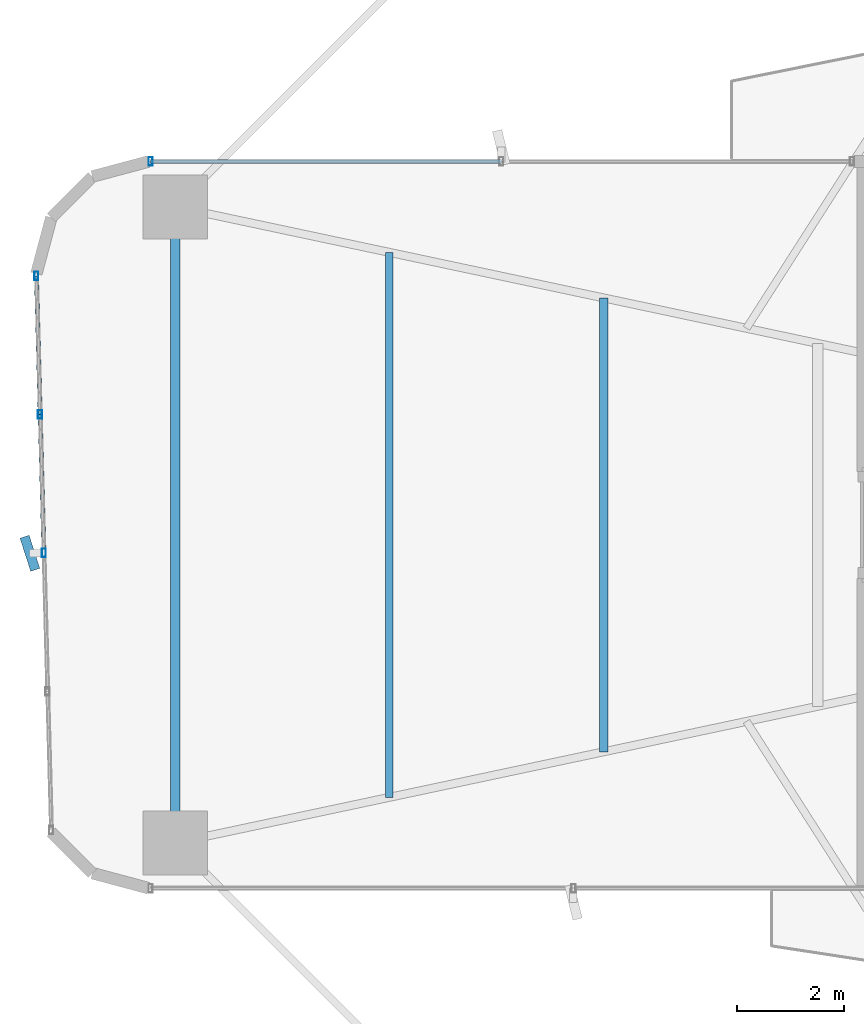
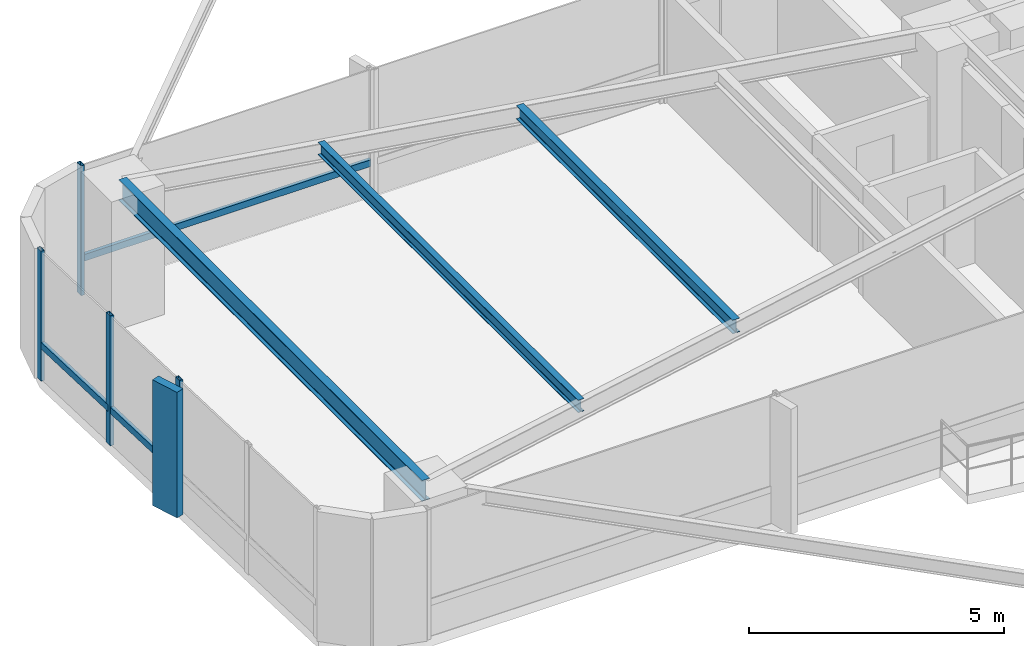
# One storey, part 8 of 25: 8 members, 3 beams, 2 elements without a shape of their own.
"""IFC4 building model written with IfcOpenShell, lengths in metres."""

from ifc_helpers import new_model, si_unit, direction, frame, origin, origin_2d, place, context, subcontext, project, spatial, rectangle, hollow_rectangle, i_section, extrude, source, transform, mapped, material, material_profile, profile_set, type_object, element, aggregate, save


model = new_model("IFC4")

# Units and contexts
model_context = context("Model", 3, precision=1e-05, world=origin(), true_north=direction((0.0, 1.0)))
body_context = subcontext(model_context, "Body", "Model", "MODEL_VIEW")
ifc_project = project(units=[si_unit("LENGTHUNIT", "METRE"), si_unit("AREAUNIT", "SQUARE_METRE"), si_unit("VOLUMEUNIT", "CUBIC_METRE"), si_unit("PLANEANGLEUNIT", "RADIAN"), si_unit("MASSUNIT", "GRAM", prefix="KILO")], contexts=[model_context])

# Site, building, storey
site_placement = place(None, origin())
site = spatial("IfcSite", under=ifc_project, at=site_placement, CompositionType="ELEMENT")
building_placement = place(site_placement, origin())
building = spatial("IfcBuilding", under=site, at=building_placement, Name="Sahyath Konkavel Grand Hotel", CompositionType="ELEMENT")
storey_placement = place(building_placement, frame((0.0, 0.0, 39.85009765625)))
storey = spatial("IfcBuildingStorey", under=building, at=storey_placement, Name="L10", CompositionType="ELEMENT", Elevation=39.85009765625)

# Beams
ifc_material_1 = material(Name="Steel E350", Category="steel")
ifc_material_profile_1 = material_profile(ifc_material_1, i_section(OverallWidth=0.179931640625, OverallDepth=0.5, WebThickness=0.01025390625, FlangeThickness=0.01708984375, FilletRadius=0.01708984375, at=origin_2d()), Name="ISMB 500")
ifc_profile_set_1 = profile_set([ifc_material_profile_1], Name="Steel E350")
beam_type_1 = type_object("IfcBeamType", Name="BM-ISMB500", PredefinedType="BEAM", material=ifc_profile_set_1)
shared_shape_1 = source(origin(), body_context, "Body", "SweptSolid", [
    extrude(i_section(OverallWidth=0.179931640625, OverallDepth=0.5, WebThickness=0.01025390625, FlangeThickness=0.01708984375, FilletRadius=0.01708984375, at=origin_2d()), origin(), (0.0, 0.0, 1.0), 11.89990234375),
])
beam_1_placement = place(storey_placement, frame((-22.199951171875, 5.949951171875, 2.85986328125), z_axis=(0.0, -1.0, 0.0), x_axis=(1.0, 0.0, 0.0)))
element("IfcBeam", 1, at=beam_1_placement, inside=storey, type_object=beam_type_1, Name="L10 Wing Tip Edge Beam W", PredefinedType="BEAM", context=body_context, shape_type="MappedRepresentation", body=[
    mapped(shared_shape_1, transform((0.0, 0.0, 0.0), scale=1.0)),
])
ifc_material_profile_2 = material_profile(ifc_material_1, i_section(OverallWidth=0.1650390625, OverallDepth=0.324951171875, WebThickness=0.007080078125, FlangeThickness=0.009765625, FilletRadius=0.014892578125, at=origin_2d()), Name="ISLB 325")
ifc_profile_set_2 = profile_set([ifc_material_profile_2], Name="Steel E350")
beam_type_2 = type_object("IfcBeamType", Name="BM-ISLB325", PredefinedType="BEAM", material=ifc_profile_set_2)
shared_shape_2 = source(origin(), body_context, "Body", "SweptSolid", [
    extrude(i_section(OverallWidth=0.1650390625, OverallDepth=0.324951171875, WebThickness=0.007080078125, FlangeThickness=0.009765625, FilletRadius=0.014892578125, at=origin_2d()), origin(), (0.0, 0.0, 1.0), 8.4921875),
])
beam_2_placement = place(storey_placement, frame((-14.18408203125, 4.24609375, 2.947509765625), z_axis=(0.0, -1.0, 0.0), x_axis=(1.0, 0.0, 0.0)))
element("IfcBeam", 2, at=beam_2_placement, inside=storey, type_object=beam_type_2, Name="L10 Secondary Floor Beam W-2", PredefinedType="BEAM", context=body_context, shape_type="MappedRepresentation", body=[
    mapped(shared_shape_2, transform((0.0, 0.0, 0.0), scale=1.0)),
])
ifc_material_profile_3 = material_profile(ifc_material_1, i_section(OverallWidth=0.139892578125, OverallDepth=0.300048828125, WebThickness=0.0078125, FlangeThickness=0.01318359375, FilletRadius=0.013916015625, at=origin_2d()), Name="ISMB 300")
ifc_profile_set_3 = profile_set([ifc_material_profile_3], Name="Steel E350")
beam_type_3 = type_object("IfcBeamType", Name="BM-ISMB300", PredefinedType="BEAM", material=ifc_profile_set_3)
shared_shape_3 = source(origin(), body_context, "Body", "SweptSolid", [
    extrude(i_section(OverallWidth=0.139892578125, OverallDepth=0.300048828125, WebThickness=0.0078125, FlangeThickness=0.01318359375, FilletRadius=0.013916015625, at=origin_2d()), origin(), (0.0, 0.0, 1.0), 10.19580078125),
])
beam_3_placement = place(storey_placement, frame((-18.19189453125, 5.097900390625, 2.9599609375), z_axis=(0.0, -1.0, 0.0), x_axis=(1.0, 0.0, 0.0)))
element("IfcBeam", 3, at=beam_3_placement, inside=storey, type_object=beam_type_3, Name="L10 Secondary Floor Beam W-3", PredefinedType="BEAM", context=body_context, shape_type="MappedRepresentation", body=[
    mapped(shared_shape_3, transform((0.0, 0.0, 0.0), scale=1.0)),
])

# Curtain wall, member
ifc_material_2 = material(Name="Anodised Bronze Aluminium & Low-E Glazing", Category="aluminium")
curtain_wall_type = type_object("IfcCurtainWallType", Name="CW-ZONE1", PredefinedType="NOTDEFINED", material=ifc_material_2)
curtain_wall_1_placement = place(storey_placement, origin())
curtain_wall_1 = element("IfcCurtainWall", 4, at=curtain_wall_1_placement, inside=storey, type_object=curtain_wall_type, Name="L10 Unitised Curtain Wall F16", PredefinedType="NOTDEFINED")
ifc_material_3 = material(Name="Anodised Bronze Aluminium", Category="aluminium")
ifc_material_profile_4 = material_profile(ifc_material_3, hollow_rectangle(XDim=0.080078125, YDim=0.159912109375, WallThickness=0.006103515625, at=origin_2d()), Name="RHS 160x80x6")
ifc_profile_set_4 = profile_set([ifc_material_profile_4], Name="Anodised Bronze Aluminium")
member_type_1 = type_object("IfcMemberType", Name="CW-MUL-160", PredefinedType="MULLION", material=ifc_profile_set_4)
shared_shape_4 = source(origin(), body_context, "Body", "SweptSolid", [
    extrude(hollow_rectangle(XDim=0.080078125, YDim=0.159912109375, WallThickness=0.006103515625, at=origin_2d()), origin(), (0.0, 0.0, 1.0), 3.10986328125),
])
member_1_placement = place(storey_placement, frame((-22.659912109375, 6.800048828125, 0.0), z_axis=(0.0, 0.0, 1.0), x_axis=(1.0, 0.0, 0.0)))
member_1 = element("IfcMember", 5, at=member_1_placement, type_object=member_type_1, Name="L10 Curtain Wall Mullion F16-2", PredefinedType="MULLION", context=body_context, shape_type="MappedRepresentation", body=[
    mapped(shared_shape_4, transform((0.0, 0.0, 0.0), scale=1.0)),
])

# Curtain wall, members
curtain_wall_2_placement = place(storey_placement, origin())
curtain_wall_2 = element("IfcCurtainWall", 6, at=curtain_wall_2_placement, inside=storey, type_object=curtain_wall_type, Name="L10 Unitised Curtain Wall F20", PredefinedType="NOTDEFINED")
member_2_placement = place(storey_placement, frame((-24.798828125, 4.659912109375, 0.0), z_axis=(0.0, 0.0, 1.0), x_axis=(1.0, 0.0, 0.0)))
member_2 = element("IfcMember", 7, at=member_2_placement, type_object=member_type_1, Name="L10 Curtain Wall Mullion F20-0", PredefinedType="MULLION", context=body_context, shape_type="MappedRepresentation", body=[
    mapped(shared_shape_4, transform((0.0, 0.0, 0.0), scale=1.0)),
])
member_3_placement = place(storey_placement, frame((-24.72900390625, 2.0673828125, 0.0), z_axis=(0.0, 0.0, 1.0), x_axis=(1.0, 0.0, 0.0)))
member_3 = element("IfcMember", 8, at=member_3_placement, type_object=member_type_1, Name="L10 Curtain Wall Mullion F20-1", PredefinedType="MULLION", context=body_context, shape_type="MappedRepresentation", body=[
    mapped(shared_shape_4, transform((0.0, 0.0, 0.0), scale=1.0)),
])
member_4_placement = place(storey_placement, frame((-24.6591796875, -0.52490234375, 0.0), z_axis=(0.0, 0.0, 1.0), x_axis=(1.0, 0.0, 0.0)))
member_4 = element("IfcMember", 9, at=member_4_placement, type_object=member_type_1, Name="L10 Curtain Wall Mullion F20-2", PredefinedType="MULLION", context=body_context, shape_type="MappedRepresentation", body=[
    mapped(shared_shape_4, transform((0.0, 0.0, 0.0), scale=1.0)),
])
ifc_material_4 = material(Name="Warm Buff Sandstone Cladding on Concrete C50/60", Category="masonry")
ifc_material_profile_5 = material_profile(ifc_material_4, rectangle(XDim=0.179931640625, YDim=0.64990234375, at=origin_2d()), Name="FIN 180x650")
ifc_profile_set_5 = profile_set([ifc_material_profile_5], Name="Warm Buff Sandstone Cladding on Concrete C50/60")
member_type_2 = type_object("IfcMemberType", Name="FIN-SANDSTONE-650", PredefinedType="MULLION", material=ifc_profile_set_5)
shared_shape_5 = source(origin(), body_context, "Body", "SweptSolid", [
    extrude(rectangle(XDim=0.179931640625, YDim=0.64990234375, at=origin_2d()), origin(), (0.0, 0.0, 1.0), 3.010009765625),
])
member_5_placement = place(storey_placement, frame((-24.919189453125, -0.531982421875, 0.0498046875), z_axis=(0.0, 0.0, 1.0), x_axis=(0.951379596601, 0.308020881065, 0.0)))
member_5 = element("IfcMember", 10, at=member_5_placement, type_object=member_type_2, Name="L10 Sandstone Vertical Solar Fin FIN F20-2", PredefinedType="MULLION", context=body_context, shape_type="MappedRepresentation", body=[
    mapped(shared_shape_5, transform((0.0, 0.0, 0.0), scale=1.0)),
])
ifc_material_profile_6 = material_profile(ifc_material_3, hollow_rectangle(XDim=0.080078125, YDim=0.159912109375, WallThickness=0.006103515625, at=origin_2d()), Name="RHS 160x80x6")
ifc_profile_set_6 = profile_set([ifc_material_profile_6], Name="Anodised Bronze Aluminium")
member_type_3 = type_object("IfcMemberType", Name="CW-TRN-160", PredefinedType="USERDEFINED", material=ifc_profile_set_6)
shared_shape_6 = source(origin(), body_context, "Body", "SweptSolid", [
    extrude(hollow_rectangle(XDim=0.080078125, YDim=0.159912109375, WallThickness=0.006103515625, at=origin_2d()), origin(), (0.0, 0.0, 1.0), 2.593505859375),
])
member_6_placement = place(storey_placement, frame((-24.798828125, 4.659912109375, 0.849853515625), z_axis=(0.026923093252, -0.999637507825, 0.0), x_axis=(0.999637507825, 0.026923093252, 0.0)))
member_6 = element("IfcMember", 11, at=member_6_placement, type_object=member_type_3, Name="L10 Curtain Wall Transom F20-0-spandrel", ObjectType="TRANSOM", PredefinedType="USERDEFINED", context=body_context, shape_type="MappedRepresentation", body=[
    mapped(shared_shape_6, transform((0.0, 0.0, 0.0), scale=1.0)),
])
shared_shape_7 = source(origin(), body_context, "Body", "SweptSolid", [
    extrude(hollow_rectangle(XDim=0.080078125, YDim=0.159912109375, WallThickness=0.006103515625, at=origin_2d()), origin(), (0.0, 0.0, 1.0), 2.59326171875),
])
member_7_placement = place(storey_placement, frame((-24.72900390625, 2.0673828125, 0.849853515625), z_axis=(0.026925627022, -0.99963743958, 0.0), x_axis=(0.99963743958, 0.026925627022, 0.0)))
member_7 = element("IfcMember", 12, at=member_7_placement, type_object=member_type_3, Name="L10 Curtain Wall Transom F20-1-spandrel", ObjectType="TRANSOM", PredefinedType="USERDEFINED", context=body_context, shape_type="MappedRepresentation", body=[
    mapped(shared_shape_7, transform((0.0, 0.0, 0.0), scale=1.0)),
])
aggregate(curtain_wall_2, [member_2, member_3, member_4, member_5, member_6, member_7])

# Member
shared_shape_8 = source(origin(), body_context, "Body", "SweptSolid", [
    extrude(hollow_rectangle(XDim=0.080078125, YDim=0.159912109375, WallThickness=0.006103515625, at=origin_2d()), origin(), (0.0, 0.0, 1.0), 6.559814453125),
])
member_8_placement = place(storey_placement, frame((-16.10009765625, 6.800048828125, 0.849853515625), z_axis=(-1.0, 0.0, 0.0), x_axis=(0.0, -1.0, 0.0)))
member_8 = element("IfcMember", 13, at=member_8_placement, type_object=member_type_3, Name="L10 Curtain Wall Transom F16-1-spandrel", ObjectType="TRANSOM", PredefinedType="USERDEFINED", context=body_context, shape_type="MappedRepresentation", body=[
    mapped(shared_shape_8, transform((0.0, 0.0, 0.0), scale=1.0)),
])

aggregate(curtain_wall_1, [member_1, member_8])

save(model, "model.ifc")
